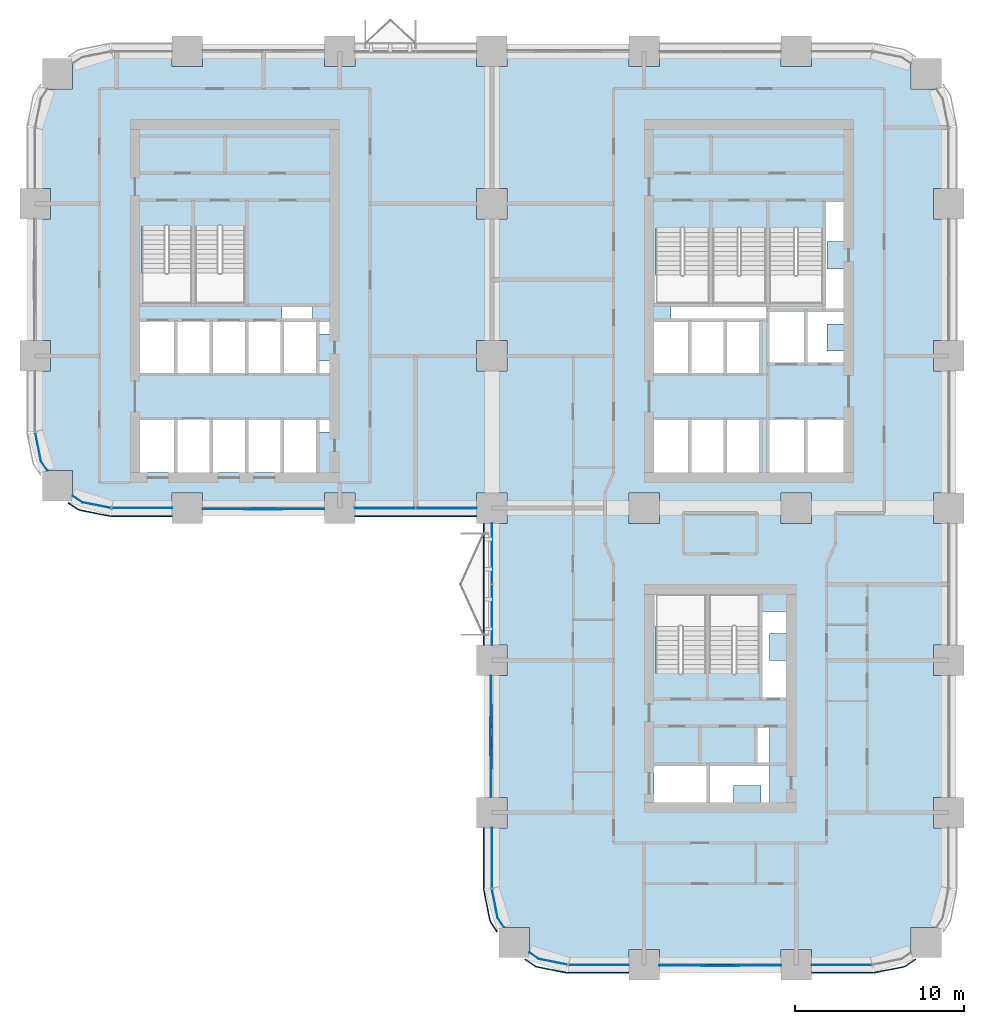
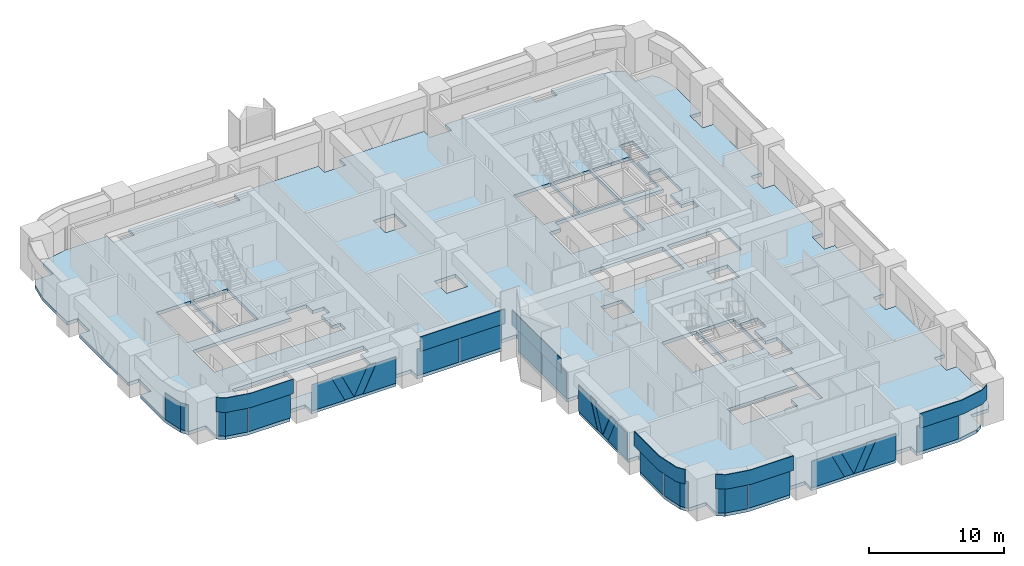
# One storey, part 9 of 18: 30 plates, 1 slab, 10 elements without a shape of their own.
"""IFC4 building model written with IfcOpenShell, lengths in metres."""

import ifcopenshell
import ifcopenshell.guid

model = None  # the IFC model being written
_history = None  # IfcOwnerHistory: only IFC2X3 demands one
_inside = {}  # id of a spatial element -> (the spatial element, [elements in it])
_under = {}  # id of a project, library or spatial element -> (it, [spatial elements below it])
_declared = {}  # id of a project -> (the project, [libraries it declares])
_typed = {}  # id of a type object -> (the type object, [elements of that type])
_made_of = {}  # id of a material, layer set ... -> (it, [elements and type objects made of it])


def new_model(schema):
    """Start an empty IFC model of exactly this schema.

    Asked for "IFC4X3", IfcOpenShell would pick the latest addendum, in which some entities
    have other attributes; the version numbers below select the first issue.
    IFC2X3 requires an IfcOwnerHistory on every rooted entity: one is made here for all.
    """
    global model, _history
    if schema == "IFC4X3":
        model = ifcopenshell.file(schema_version=(4, 3, 0, 0))
    else:
        model = ifcopenshell.file(schema=schema)
    _inside.clear()
    _under.clear()
    _declared.clear()
    _typed.clear()
    _made_of.clear()
    _history = None
    if model.schema == "IFC2X3":
        org = make("IfcOrganization", Name="unknown")
        user = make(
            "IfcPersonAndOrganization",
            ThePerson=make("IfcPerson", FamilyName="unknown"),
            TheOrganization=org,
        )
        app = make(
            "IfcApplication",
            ApplicationDeveloper=org,
            Version="unknown",
            ApplicationFullName="unknown",
            ApplicationIdentifier="unknown",
        )
        _history = make(
            "IfcOwnerHistory",
            OwningUser=user,
            OwningApplication=app,
            ChangeAction="ADDED",
            CreationDate=0,
        )
    return model


def make(cls, **values):
    """One entity of the class cls with the attributes given. An attribute that is None is left unset."""
    return model.create_entity(
        cls, **{name: value for name, value in values.items() if value is not None}
    )


def rooted(cls, **values):
    """An entity with a GlobalId (a new one), such as an element, a storey or a relation."""
    return make(cls, GlobalId=ifcopenshell.guid.new(), OwnerHistory=_history, **values)


def si_unit(unit_type, name, prefix=None):
    """IfcSIUnit, for example si_unit("LENGTHUNIT", "METRE", prefix="MILLI")."""
    return make("IfcSIUnit", UnitType=unit_type, Prefix=prefix, Name=name)


def assignment(units):
    """IfcUnitAssignment: the units of a project."""
    return None if units is None else make("IfcUnitAssignment", Units=units)


def point(xyz):
    """IfcCartesianPoint."""
    return None if xyz is None else make("IfcCartesianPoint", Coordinates=xyz)


def direction(xyz):
    """IfcDirection."""
    return None if xyz is None else make("IfcDirection", DirectionRatios=xyz)


def frame(location, z_axis=None, x_axis=None):
    """IfcAxis2Placement3D, a coordinate frame: its origin and axes. An axis left out is left unset."""
    return make(
        "IfcAxis2Placement3D",
        Location=point(location),
        Axis=direction(z_axis),
        RefDirection=direction(x_axis),
    )


def frame_2d(location, x_axis=None):
    """IfcAxis2Placement2D, a coordinate frame in the plane: its origin and x axis."""
    return make(
        "IfcAxis2Placement2D", Location=point(location), RefDirection=direction(x_axis)
    )


def origin():
    """The frame at (0, 0, 0) with its axes left unset."""
    return frame((0.0, 0.0, 0.0))


def origin_2d():
    """The frame at (0, 0) in the plane with its x axis left unset."""
    return frame_2d((0.0, 0.0))


def place(relative_to, where):
    """IfcLocalPlacement: puts the frame where relative to a parent placement (None: the world)."""
    return make(
        "IfcLocalPlacement", PlacementRelTo=relative_to, RelativePlacement=where
    )


def context(
    kind, dimensions, precision=None, world=None, true_north=None, identifier=None
):
    """IfcGeometricRepresentationContext, for example the 3D "Model" context."""
    return make(
        "IfcGeometricRepresentationContext",
        ContextIdentifier=identifier,
        ContextType=kind,
        CoordinateSpaceDimension=dimensions,
        Precision=precision,
        WorldCoordinateSystem=world,
        TrueNorth=true_north,
    )


def subcontext(parent, identifier, kind, view, scale=None):
    """IfcGeometricRepresentationSubContext, for example "Body" below "Model"."""
    return make(
        "IfcGeometricRepresentationSubContext",
        ContextIdentifier=identifier,
        ContextType=kind,
        ParentContext=parent,
        TargetScale=scale,
        TargetView=view,
    )


def project(units=None, contexts=None):
    """IfcProject with its units and contexts."""
    return rooted(
        "IfcProject",
        Name="project",
        RepresentationContexts=contexts,
        UnitsInContext=assignment(units),
    )


def spatial(cls, under=None, at=None, **own):
    """A site, building, storey or space (cls), placed at a placement, below another one or the project."""
    s = rooted(cls, ObjectPlacement=at, **own)
    if under is not None:
        _under.setdefault(under.id(), (under, []))[1].append(s)
    return s


def polyline(points):
    """IfcPolyline through the points."""
    return make("IfcPolyline", Points=[point(p) for p in points])


def profile(cls, at=None, kind="AREA", **sizes):
    """A parametric profile (cls). Its sizes go by their IFC names, for example OverallWidth=200.0."""
    return make(cls, ProfileType=kind, Position=at, **sizes)


def rectangle(**sizes):
    """IfcRectangleProfileDef."""
    return profile("IfcRectangleProfileDef", **sizes)


def outline(outer, holes=None, kind="AREA"):
    """IfcArbitraryClosedProfileDef: a profile drawn as a closed curve; with holes, ...WithVoids."""
    if holes is None:
        return make("IfcArbitraryClosedProfileDef", ProfileType=kind, OuterCurve=outer)
    return make(
        "IfcArbitraryProfileDefWithVoids",
        ProfileType=kind,
        OuterCurve=outer,
        InnerCurves=holes,
    )


def extrude(swept, where, along, depth):
    """IfcExtrudedAreaSolid: the profile swept, set in the frame where, extruded along a direction by depth."""
    return make(
        "IfcExtrudedAreaSolid",
        SweptArea=swept,
        Position=where,
        ExtrudedDirection=direction(along),
        Depth=depth,
    )


def shape(context_of_items, identifier, shape_type, items):
    """IfcShapeRepresentation: the items that make up one representation, for example the "Body"."""
    return make(
        "IfcShapeRepresentation",
        ContextOfItems=context_of_items,
        RepresentationIdentifier=identifier,
        RepresentationType=shape_type,
        Items=items,
    )


def material(Name=None, Category=None):
    """IfcMaterial."""
    return make("IfcMaterial", Name=Name, Category=Category)


def layer(
    of_material, thickness, ventilated=None, Name=None, Category=None, Priority=None
):
    """IfcMaterialLayer: one layer of a wall or slab, of a material (None: an air gap)."""
    return make(
        "IfcMaterialLayer",
        Material=of_material,
        LayerThickness=thickness,
        IsVentilated=ventilated,
        Name=Name,
        Category=Category,
        Priority=Priority,
    )


def layer_set(layers, Name=None):
    """IfcMaterialLayerSet."""
    return make("IfcMaterialLayerSet", MaterialLayers=layers, LayerSetName=Name)


def made_of(thing, what):
    """Note that an element or type object is made of a material, layer set ...; save() writes the relation."""
    if what is not None:
        _made_of.setdefault(what.id(), (what, []))[1].append(thing)
    return thing


def type_object(cls, material=None, **own):
    """A type object (cls), such as IfcWallType, which elements share."""
    return made_of(rooted(cls, **own), material)


def element(
    cls,
    number,
    at=None,
    inside=None,
    cuts=None,
    type_object=None,
    material=None,
    context=None,
    identifier="Body",
    shape_type=None,
    held_by="IfcProductDefinitionShape",
    body=None,
    shapes=None,
    **own,
):
    """One element of the class cls, such as IfcWall. Its Tag is "e" and its number.

    at: its placement. inside: the storey or other place that contains it. cuts: it is an
    opening in that element (IfcRelVoidsElement). A single representation is given by context,
    identifier, shape_type and body (its items); several are given by shapes. held_by: the class
    of the entity that holds the representations. save() writes the other relations.
    """
    e = rooted(cls, Tag="e%d" % number, ObjectPlacement=at, **own)
    if body is not None:
        shapes = [shape(context, identifier, shape_type, body)]
    if shapes is not None:
        e.Representation = make(held_by, Representations=shapes)
    if inside is not None:
        _inside.setdefault(inside.id(), (inside, []))[1].append(e)
    if cuts is not None:
        rooted(
            "IfcRelVoidsElement", RelatingBuildingElement=cuts, RelatedOpeningElement=e
        )
    if type_object is not None:
        _typed.setdefault(type_object.id(), (type_object, []))[1].append(e)
    return made_of(e, material)


def aggregate(whole, parts):
    """IfcRelAggregates: a whole, such as a stair, and the parts it consists of."""
    return rooted("IfcRelAggregates", RelatingObject=whole, RelatedObjects=parts)


def save(model, path):
    """Write the relations noted so far, then the file.

    IfcRelAggregates (storeys below a building ...), IfcRelContainedInSpatialStructure (elements
    in a storey), IfcRelDefinesByType, IfcRelAssociatesMaterial and IfcRelDeclares: one each for
    every whole, place, type object, material and project.
    """
    for whole, parts in _under.values():
        aggregate(whole, parts)
    for where, things in _inside.values():
        rooted(
            "IfcRelContainedInSpatialStructure",
            RelatedElements=things,
            RelatingStructure=where,
        )
    for kind, things in _typed.values():
        rooted("IfcRelDefinesByType", RelatedObjects=things, RelatingType=kind)
    for what, things in _made_of.values():
        rooted("IfcRelAssociatesMaterial", RelatedObjects=things, RelatingMaterial=what)
    for by, libraries in _declared.values():
        rooted("IfcRelDeclares", RelatingContext=by, RelatedDefinitions=libraries)
    model.write(path)


model = new_model("IFC4")

# Units and contexts
model_context = context("Model", 3, precision=1e-05, world=origin(), true_north=direction((0.0, 1.0)))
body_context = subcontext(model_context, "Body", "Model", "MODEL_VIEW")
ifc_project = project(units=[si_unit("LENGTHUNIT", "METRE"), si_unit("AREAUNIT", "SQUARE_METRE"), si_unit("VOLUMEUNIT", "CUBIC_METRE"), si_unit("PLANEANGLEUNIT", "RADIAN"), si_unit("MASSUNIT", "GRAM", prefix="KILO")], contexts=[model_context])

# Site, building, storey
site_placement = place(None, origin())
site = spatial("IfcSite", under=ifc_project, at=site_placement, CompositionType="ELEMENT")
building_placement = place(site_placement, origin())
building = spatial("IfcBuilding", under=site, at=building_placement, Name="Tessera Arch", CompositionType="ELEMENT")
storey_placement = place(building_placement, frame((0.0, 0.0, 100.60009765625)))
storey = spatial("IfcBuildingStorey", under=building, at=storey_placement, Name="L23", CompositionType="ELEMENT", Elevation=100.60009765625)

# Curtain wall, plates
ifc_material_1 = material(Name="CW1 curtain wall")
curtain_wall_type_1 = type_object("IfcCurtainWallType", Name="CW1 curtain wall", PredefinedType="NOTDEFINED", material=ifc_material_1)
curtain_wall_1_placement = place(storey_placement, origin())
curtain_wall_1 = element("IfcCurtainWall", 1, at=curtain_wall_1_placement, inside=storey, type_object=curtain_wall_type_1, Name="CW1 curtain wall S27.0/2 L23", PredefinedType="NOTDEFINED")
ifc_material_2 = material(Name="Clear low-e glass", Category="glass")
ifc_material_3 = material(Name="Clear low-e glass", Category="glass")
ifc_layer_1 = layer(ifc_material_3, 0.028076171875)
ifc_layer_set_1 = layer_set([ifc_layer_1], Name="CW1 glass panel")
plate_type_1 = type_object("IfcPlateType", Name="CW1 glass panel", PredefinedType="CURTAIN_PANEL", material=ifc_layer_set_1)
plate_1_placement = place(storey_placement, frame((20.68505859375, 27.0, 0.0), z_axis=(0.0, 0.0, 1.0), x_axis=(1.0, 0.0, 0.0)))
plate_1 = element("IfcPlate", 2, at=plate_1_placement, type_object=plate_type_1, material=ifc_material_2, Name="CW1 glass panel S27.0/2 1.1.1", PredefinedType="CURTAIN_PANEL", context=body_context, shape_type="SweptSolid", body=[
    extrude(rectangle(XDim=3.570068359375, YDim=0.028076171875, at=origin_2d()), origin(), (0.0, 0.0, 1.0), 2.39990234375),
])
plate_2_placement = place(storey_placement, frame((24.31494140625, 27.0, 0.0), z_axis=(0.0, 0.0, 1.0), x_axis=(1.0, 0.0, 0.0)))
plate_2 = element("IfcPlate", 3, at=plate_2_placement, type_object=plate_type_1, material=ifc_material_2, Name="CW1 glass panel S27.0/2 1.2.1", PredefinedType="CURTAIN_PANEL", context=body_context, shape_type="SweptSolid", body=[
    extrude(rectangle(XDim=3.570068359375, YDim=0.028076171875, at=origin_2d()), origin(), (0.0, 0.0, 1.0), 2.39990234375),
])

curtain_wall_2_placement = place(storey_placement, origin())
curtain_wall_2 = element("IfcCurtainWall", 4, at=curtain_wall_2_placement, inside=storey, type_object=curtain_wall_type_1, Name="CW1 curtain wall W27.0/0 L23", PredefinedType="NOTDEFINED")
plate_3_placement = place(storey_placement, frame((27.0, 24.31494140625, 0.0), z_axis=(0.0, 0.0, 1.0), x_axis=(0.0, -1.0, 0.0)))
plate_3 = element("IfcPlate", 5, at=plate_3_placement, type_object=plate_type_1, material=ifc_material_2, Name="CW1 glass panel W27.0/0 1.1.1", PredefinedType="CURTAIN_PANEL", context=body_context, shape_type="SweptSolid", body=[
    extrude(rectangle(XDim=3.570068359375, YDim=0.028076171875, at=origin_2d()), origin(), (0.0, 0.0, 1.0), 2.39990234375),
])
plate_4_placement = place(storey_placement, frame((27.0, 20.68505859375, 0.0), z_axis=(0.0, 0.0, 1.0), x_axis=(0.0, -1.0, 0.0)))
plate_4 = element("IfcPlate", 6, at=plate_4_placement, type_object=plate_type_1, material=ifc_material_2, Name="CW1 glass panel W27.0/0 1.2.1", PredefinedType="CURTAIN_PANEL", context=body_context, shape_type="SweptSolid", body=[
    extrude(rectangle(XDim=3.570068359375, YDim=0.028076171875, at=origin_2d()), origin(), (0.0, 0.0, 1.0), 2.39990234375),
])

# Plate
ifc_material_4 = material(Name="Pale anodised aluminium panel", Category="aluminium")
ifc_layer_2 = layer(ifc_material_4, 0.06005859375)
ifc_layer_set_2 = layer_set([ifc_layer_2], Name="CW1 spandrel panel")
plate_type_2 = type_object("IfcPlateType", Name="CW1 spandrel panel", PredefinedType="CURTAIN_PANEL", material=ifc_layer_set_2)
plate_5_placement = place(storey_placement, frame((22.5, 26.52001953125, 2.5), z_axis=(0.0, 0.0, 1.0), x_axis=(1.0, 0.0, 0.0)))
plate_5 = element("IfcPlate", 7, at=plate_5_placement, type_object=plate_type_2, Name="CW1 spandrel panel S27.0/2", PredefinedType="CURTAIN_PANEL", context=body_context, shape_type="SweptSolid", body=[
    extrude(rectangle(XDim=7.199951171875, YDim=0.06005859375, at=origin_2d()), origin(), (0.0, 0.0, 1.0), 1.300048828125),
])

aggregate(curtain_wall_1, [plate_1, plate_2, plate_5])

plate_6_placement = place(storey_placement, frame((26.52001953125, 22.5, 2.5), z_axis=(0.0, 0.0, 1.0), x_axis=(0.0, -1.0, 0.0)))
plate_6 = element("IfcPlate", 8, at=plate_6_placement, type_object=plate_type_2, Name="CW1 spandrel panel W27.0/0", PredefinedType="CURTAIN_PANEL", context=body_context, shape_type="SweptSolid", body=[
    extrude(rectangle(XDim=7.199951171875, YDim=0.06005859375, at=origin_2d()), origin(), (0.0, 0.0, 1.0), 1.300048828125),
])

aggregate(curtain_wall_2, [plate_3, plate_4, plate_6])

# Curtain wall, plate
ifc_material_5 = material(Name="CW2 curtain wall")
curtain_wall_type_2 = type_object("IfcCurtainWallType", Name="CW2 curtain wall", PredefinedType="NOTDEFINED", material=ifc_material_5)
curtain_wall_3_placement = place(storey_placement, origin())
curtain_wall_3 = element("IfcCurtainWall", 9, at=curtain_wall_3_placement, inside=storey, type_object=curtain_wall_type_2, Name="CW2 curtain wall W0.27/2 L23", PredefinedType="NOTDEFINED")
ifc_material_6 = material(Name="Clear low-e glass", Category="glass")
ifc_layer_3 = layer(ifc_material_6, 0.028076171875)
ifc_layer_set_3 = layer_set([ifc_layer_3], Name="CW2 glass panel")
plate_type_3 = type_object("IfcPlateType", Name="CW2 glass panel", PredefinedType="CURTAIN_PANEL", material=ifc_layer_set_3)
plate_7_placement = place(storey_placement, origin())
plate_7 = element("IfcPlate", 10, at=plate_7_placement, type_object=plate_type_3, material=ifc_material_2, Name="CW2 curved glass panel W0.27/2 2.1", PredefinedType="CURTAIN_PANEL", context=body_context, shape_type="SweptSolid", body=[
    extrude(outline(polyline([(0.355712890625, 29.783447265625), (0.021484375, 31.46337890625), (-0.005859375, 31.4580078125), (0.329345703125, 29.7724609375), (0.705078125, 29.210205078125), (0.728271484375, 29.225830078125), (0.355712890625, 29.783447265625)])), origin(), (0.0, 0.0, 1.0), 2.39990234375),
])
aggregate(curtain_wall_3, [plate_7])

# Curtain wall, plates
curtain_wall_4_placement = place(storey_placement, origin())
curtain_wall_4 = element("IfcCurtainWall", 11, at=curtain_wall_4_placement, inside=storey, type_object=curtain_wall_type_2, Name="CW2 curtain wall S27.0/0 L23", PredefinedType="NOTDEFINED")
plate_8_placement = place(storey_placement, frame((6.320068359375, 27.0, 0.0), z_axis=(0.0, 0.0, 1.0), x_axis=(1.0, 0.0, 0.0)))
plate_8 = element("IfcPlate", 12, at=plate_8_placement, type_object=plate_type_3, material=ifc_material_2, Name="CW2 glass panel S27.0/0 1.1", PredefinedType="CURTAIN_PANEL", context=body_context, shape_type="SweptSolid", body=[
    extrude(rectangle(XDim=3.56005859375, YDim=0.028076171875, at=origin_2d()), origin(), (0.0, 0.0, 1.0), 2.39990234375),
])
plate_9_placement = place(storey_placement, origin())
plate_9 = element("IfcPlate", 13, at=plate_9_placement, type_object=plate_type_3, material=ifc_material_2, Name="CW2 curved glass panel S27.0/0 2.1", PredefinedType="CURTAIN_PANEL", context=body_context, shape_type="SweptSolid", body=[
    extrude(outline(polyline([(2.783447265625, 27.355712890625), (2.225830078125, 27.728271484375), (2.210205078125, 27.705078125), (2.7724609375, 27.329345703125), (4.4580078125, 26.994140625), (4.46337890625, 27.021484375), (2.783447265625, 27.355712890625)])), origin(), (0.0, 0.0, 1.0), 2.39990234375),
])

curtain_wall_5_placement = place(storey_placement, origin())
curtain_wall_5 = element("IfcCurtainWall", 14, at=curtain_wall_5_placement, inside=storey, type_object=curtain_wall_type_2, Name="CW2 curtain wall W27.0/2 L23", PredefinedType="NOTDEFINED")
plate_10_placement = place(storey_placement, frame((27.0, 6.320068359375, 0.0), z_axis=(0.0, 0.0, 1.0), x_axis=(0.0, -1.0, 0.0)))
plate_10 = element("IfcPlate", 15, at=plate_10_placement, type_object=plate_type_3, material=ifc_material_2, Name="CW2 glass panel W27.0/2 1.1", PredefinedType="CURTAIN_PANEL", context=body_context, shape_type="SweptSolid", body=[
    extrude(rectangle(XDim=3.56005859375, YDim=0.028076171875, at=origin_2d()), origin(), (0.0, 0.0, 1.0), 2.39990234375),
])
plate_11_placement = place(storey_placement, origin())
plate_11 = element("IfcPlate", 16, at=plate_11_placement, type_object=plate_type_3, material=ifc_material_2, Name="CW2 curved glass panel W27.0/2 2.1", PredefinedType="CURTAIN_PANEL", context=body_context, shape_type="SweptSolid", body=[
    extrude(outline(polyline([(27.355712890625, 2.783447265625), (27.021484375, 4.46337890625), (26.994140625, 4.4580078125), (27.329345703125, 2.7724609375), (27.705078125, 2.210205078125), (27.728271484375, 2.225830078125), (27.355712890625, 2.783447265625)])), origin(), (0.0, 0.0, 1.0), 2.39990234375),
])

curtain_wall_6_placement = place(storey_placement, origin())
curtain_wall_6 = element("IfcCurtainWall", 17, at=curtain_wall_6_placement, inside=storey, type_object=curtain_wall_type_2, Name="CW2 curtain wall S0.27/0 L23", PredefinedType="NOTDEFINED")
plate_12_placement = place(storey_placement, frame((33.320068359375, 0.0, 0.0), z_axis=(0.0, 0.0, 1.0), x_axis=(1.0, 0.0, 0.0)))
plate_12 = element("IfcPlate", 18, at=plate_12_placement, type_object=plate_type_3, material=ifc_material_2, Name="CW2 glass panel S0.27/0 1.1", PredefinedType="CURTAIN_PANEL", context=body_context, shape_type="SweptSolid", body=[
    extrude(rectangle(XDim=3.56005859375, YDim=0.028076171875, at=origin_2d()), origin(), (0.0, 0.0, 1.0), 2.39990234375),
])
plate_13_placement = place(storey_placement, origin())
plate_13 = element("IfcPlate", 19, at=plate_13_placement, type_object=plate_type_3, material=ifc_material_2, Name="CW2 curved glass panel S0.27/0 2.1", PredefinedType="CURTAIN_PANEL", context=body_context, shape_type="SweptSolid", body=[
    extrude(outline(polyline([(29.783447265625, 0.355712890625), (29.225830078125, 0.728271484375), (29.210205078125, 0.705078125), (29.7724609375, 0.329345703125), (31.4580078125, -0.005859375), (31.46337890625, 0.021484375), (29.783447265625, 0.355712890625)])), origin(), (0.0, 0.0, 1.0), 2.39990234375),
])

# Curtain wall, plate
curtain_wall_7_placement = place(storey_placement, origin())
curtain_wall_7 = element("IfcCurtainWall", 20, at=curtain_wall_7_placement, inside=storey, type_object=curtain_wall_type_2, Name="CW2 curtain wall S0.27/2 L23", PredefinedType="NOTDEFINED")
plate_14_placement = place(storey_placement, frame((47.679931640625, 0.0, 0.0), z_axis=(0.0, 0.0, 1.0), x_axis=(1.0, 0.0, 0.0)))
plate_14 = element("IfcPlate", 21, at=plate_14_placement, type_object=plate_type_3, material=ifc_material_2, Name="CW2 glass panel S0.27/2 1.1", PredefinedType="CURTAIN_PANEL", context=body_context, shape_type="SweptSolid", body=[
    extrude(rectangle(XDim=3.56005859375, YDim=0.028076171875, at=origin_2d()), origin(), (0.0, 0.0, 1.0), 2.39990234375),
])

# Plate
ifc_material_7 = material(Name="Pale anodised aluminium panel", Category="aluminium")
ifc_layer_4 = layer(ifc_material_7, 0.06005859375)
ifc_layer_set_4 = layer_set([ifc_layer_4], Name="CW2 spandrel panel")
plate_type_4 = type_object("IfcPlateType", Name="CW2 spandrel panel", PredefinedType="CURTAIN_PANEL", material=ifc_layer_set_4)
plate_15_placement = place(storey_placement, frame((0.0, 0.0, 2.5)))
plate_15 = element("IfcPlate", 22, at=plate_15_placement, type_object=plate_type_4, Name="CW2 spandrel panel S27.0/0", PredefinedType="CURTAIN_PANEL", context=body_context, shape_type="SweptSolid", body=[
    extrude(outline(polyline([(2.52734375, 26.96875), (1.968017578125, 27.342529296875), (1.9345703125, 27.292724609375), (2.4951171875, 26.91796875), (2.537353515625, 26.892822265625), (2.582763671875, 26.871337890625), (2.6298828125, 26.8544921875), (2.677734375, 26.842529296875), (4.401123046875, 26.499755859375), (4.449951171875, 26.492431640625), (4.499267578125, 26.489990234375), (8.10009765625, 26.489990234375), (8.10009765625, 26.550048828125), (4.500732421875, 26.550048828125), (4.455810546875, 26.55224609375), (4.411376953125, 26.558837890625), (2.69091796875, 26.90087890625), (2.647216796875, 26.911865234375), (2.605712890625, 26.9267578125), (2.565673828125, 26.94580078125), (2.52734375, 26.96875)])), origin(), (0.0, 0.0, 1.0), 1.2998046875),
])

aggregate(curtain_wall_4, [plate_8, plate_9, plate_15])

plate_16_placement = place(storey_placement, frame((0.0, 0.0, 2.5)))
plate_16 = element("IfcPlate", 23, at=plate_16_placement, type_object=plate_type_4, Name="CW2 spandrel panel W27.0/2", PredefinedType="CURTAIN_PANEL", context=body_context, shape_type="SweptSolid", body=[
    extrude(outline(polyline([(26.550048828125, 4.500732421875), (26.550048828125, 8.10009765625), (26.489990234375, 8.10009765625), (26.489990234375, 4.499267578125), (26.492431640625, 4.449951171875), (26.499755859375, 4.401123046875), (26.842529296875, 2.677734375), (26.8544921875, 2.6298828125), (26.871337890625, 2.582763671875), (26.892822265625, 2.537353515625), (26.91796875, 2.4951171875), (27.292724609375, 1.9345703125), (27.342529296875, 1.968017578125), (26.96875, 2.52734375), (26.94580078125, 2.565673828125), (26.9267578125, 2.605712890625), (26.911865234375, 2.647216796875), (26.90087890625, 2.69091796875), (26.558837890625, 4.411376953125), (26.55224609375, 4.455810546875), (26.550048828125, 4.500732421875)])), origin(), (0.0, 0.0, 1.0), 1.2998046875),
])

aggregate(curtain_wall_5, [plate_10, plate_11, plate_16])

plate_17_placement = place(storey_placement, frame((0.0, 0.0, 2.5)))
plate_17 = element("IfcPlate", 24, at=plate_17_placement, type_object=plate_type_4, Name="CW2 spandrel panel S0.27/0", PredefinedType="CURTAIN_PANEL", context=body_context, shape_type="SweptSolid", body=[
    extrude(outline(polyline([(29.52734375, -0.03125), (28.968017578125, 0.342529296875), (28.9345703125, 0.292724609375), (29.4951171875, -0.08203125), (29.537353515625, -0.107177734375), (29.582763671875, -0.128662109375), (29.6298828125, -0.1455078125), (29.677734375, -0.157470703125), (31.401123046875, -0.500244140625), (31.449951171875, -0.507568359375), (31.499267578125, -0.510009765625), (35.10009765625, -0.510009765625), (35.10009765625, -0.449951171875), (31.500732421875, -0.449951171875), (31.455810546875, -0.44775390625), (31.411376953125, -0.441162109375), (29.69091796875, -0.09912109375), (29.647216796875, -0.088134765625), (29.605712890625, -0.0732421875), (29.565673828125, -0.05419921875), (29.52734375, -0.03125)])), origin(), (0.0, 0.0, 1.0), 1.2998046875),
])

aggregate(curtain_wall_6, [plate_12, plate_13, plate_17])

plate_18_placement = place(storey_placement, frame((0.0, 0.0, 2.5)))
plate_18 = element("IfcPlate", 25, at=plate_18_placement, type_object=plate_type_4, Name="CW2 spandrel panel S0.27/2", PredefinedType="CURTAIN_PANEL", context=body_context, shape_type="SweptSolid", body=[
    extrude(outline(polyline([(49.499267578125, -0.449951171875), (45.89990234375, -0.449951171875), (45.89990234375, -0.510009765625), (49.500732421875, -0.510009765625), (49.550048828125, -0.507568359375), (49.598876953125, -0.500244140625), (51.322265625, -0.157470703125), (51.3701171875, -0.1455078125), (51.417236328125, -0.128662109375), (51.462646484375, -0.107177734375), (51.5048828125, -0.08203125), (52.0654296875, 0.292724609375), (52.031982421875, 0.342529296875), (51.47265625, -0.03125), (51.434326171875, -0.05419921875), (51.394287109375, -0.0732421875), (51.352783203125, -0.088134765625), (51.30908203125, -0.09912109375), (49.588623046875, -0.441162109375), (49.544189453125, -0.44775390625), (49.499267578125, -0.449951171875)])), origin(), (0.0, 0.0, 1.0), 1.2998046875),
])

aggregate(curtain_wall_7, [plate_14, plate_18])

# Curtain wall, plate
ifc_material_8 = material(Name="CW3 curtain wall")
curtain_wall_type_3 = type_object("IfcCurtainWallType", Name="CW3 curtain wall", PredefinedType="NOTDEFINED", material=ifc_material_8)
curtain_wall_8_placement = place(storey_placement, origin())
curtain_wall_8 = element("IfcCurtainWall", 26, at=curtain_wall_8_placement, inside=storey, type_object=curtain_wall_type_3, Name="CW3 curtain wall S27.0/1 L23", PredefinedType="NOTDEFINED")
ifc_material_9 = material(Name="Pale anodised aluminium panel", Category="aluminium")
ifc_layer_5 = layer(ifc_material_9, 0.06005859375)
ifc_layer_set_5 = layer_set([ifc_layer_5], Name="CW3 diagonal panel")
plate_type_5 = type_object("IfcPlateType", Name="CW3 diagonal panel", PredefinedType="CURTAIN_PANEL", material=ifc_layer_set_5)
plate_19_placement = place(storey_placement, frame((15.414794921875, 26.969970703125, 2.39990234375), z_axis=(0.0, -1.0, 0.0), x_axis=(-1.0, 0.0, 0.0)))
plate_19 = element("IfcPlate", 27, at=plate_19_placement, type_object=plate_type_5, Name="CW3 diagonal panel S27.0/1 1", PredefinedType="CURTAIN_PANEL", context=body_context, shape_type="SweptSolid", body=[
    extrude(outline(polyline([(0.0, 0.0), (0.798095703125, 0.0), (1.914794921875, 2.357421875), (3.031494140625, 0.0), (3.82958984375, 0.0), (2.69287109375, 2.39990234375), (1.13671875, 2.39990234375), (0.0, 0.0)])), origin(), (0.0, 0.0, -1.0), 0.06005859375),
])

curtain_wall_9_placement = place(storey_placement, origin())
curtain_wall_9 = element("IfcCurtainWall", 28, at=curtain_wall_9_placement, inside=storey, type_object=curtain_wall_type_3, Name="CW3 curtain wall W27.0/1 L23", PredefinedType="NOTDEFINED")
plate_20_placement = place(storey_placement, frame((26.969970703125, 11.585205078125, 2.39990234375), z_axis=(-1.0, 0.0, 0.0), x_axis=(0.0, 1.0, 0.0)))
plate_20 = element("IfcPlate", 29, at=plate_20_placement, type_object=plate_type_5, Name="CW3 diagonal panel W27.0/1 1", PredefinedType="CURTAIN_PANEL", context=body_context, shape_type="SweptSolid", body=[
    extrude(outline(polyline([(0.0, 0.0), (0.798095703125, 0.0), (1.914794921875, 2.357421875), (3.031494140625, 0.0), (3.82958984375, 0.0), (2.69287109375, 2.39990234375), (1.13671875, 2.39990234375), (0.0, 0.0)])), origin(), (0.0, 0.0, -1.0), 0.06005859375),
])

curtain_wall_10_placement = place(storey_placement, origin())
curtain_wall_10 = element("IfcCurtainWall", 30, at=curtain_wall_10_placement, inside=storey, type_object=curtain_wall_type_3, Name="CW3 curtain wall S0.27/1 L23", PredefinedType="NOTDEFINED")
plate_21_placement = place(storey_placement, frame((42.414794921875, -0.030029296875, 2.39990234375), z_axis=(0.0, -1.0, 0.0), x_axis=(-1.0, 0.0, 0.0)))
plate_21 = element("IfcPlate", 31, at=plate_21_placement, type_object=plate_type_5, Name="CW3 diagonal panel S0.27/1 1", PredefinedType="CURTAIN_PANEL", context=body_context, shape_type="SweptSolid", body=[
    extrude(outline(polyline([(0.0, 0.0), (0.798095703125, 0.0), (1.914794921875, 2.357421875), (3.031494140625, 0.0), (3.82958984375, 0.0), (2.69287109375, 2.39990234375), (1.13671875, 2.39990234375), (0.0, 0.0)])), origin(), (0.0, 0.0, -1.0), 0.06005859375),
])

# Plate
ifc_material_10 = material(Name="Clear low-e glass", Category="glass")
ifc_layer_6 = layer(ifc_material_10, 0.028076171875)
ifc_layer_set_6 = layer_set([ifc_layer_6], Name="CW3 glass panel")
plate_type_6 = type_object("IfcPlateType", Name="CW3 glass panel", PredefinedType="CURTAIN_PANEL", material=ifc_layer_set_6)
plate_22_placement = place(storey_placement, frame((9.89990234375, 26.94189453125, 0.0), z_axis=(0.0, -1.0, 0.0), x_axis=(1.0, 0.0, 0.0)))
plate_22 = element("IfcPlate", 32, at=plate_22_placement, type_object=plate_type_6, material=ifc_material_2, Name="CW3 triangulated glass panel S27.0/1 1", PredefinedType="CURTAIN_PANEL", context=body_context, shape_type="SweptSolid", body=[
    extrude(outline(polyline([(0.0, 0.0), (2.822021484375, 0.0), (1.685302734375, 2.39990234375), (0.0, 2.39990234375), (0.0, 0.0)])), origin(), (0.0, 0.0, -1.0), 0.028076171875),
])

plate_23_placement = place(storey_placement, frame((14.61669921875, 26.9140625, 2.39990234375), z_axis=(0.0, -1.0, 0.0), x_axis=(-1.0, 0.0, 0.0)))
plate_23 = element("IfcPlate", 33, at=plate_23_placement, type_object=plate_type_6, material=ifc_material_2, Name="CW3 triangulated glass panel S27.0/1 2", PredefinedType="CURTAIN_PANEL", context=body_context, shape_type="SweptSolid", body=[
    extrude(outline(polyline([(0.0, 0.0), (2.2333984375, 0.0), (1.11669921875, 2.357421875), (0.0, 0.0)])), origin(), (0.0, 0.0, -1.0), 0.028076171875),
])

plate_24_placement = place(storey_placement, frame((17.10009765625, 26.94189453125, 2.39990234375), z_axis=(0.0, -1.0, 0.0), x_axis=(-1.0, 0.0, 0.0)))
plate_24 = element("IfcPlate", 34, at=plate_24_placement, type_object=plate_type_6, material=ifc_material_2, Name="CW3 triangulated glass panel S27.0/1 3", PredefinedType="CURTAIN_PANEL", context=body_context, shape_type="SweptSolid", body=[
    extrude(outline(polyline([(0.0, 0.0), (1.685302734375, 0.0), (2.822021484375, 2.39990234375), (0.0, 2.39990234375), (0.0, 0.0)])), origin(), (0.0, 0.0, -1.0), 0.028076171875),
])

aggregate(curtain_wall_8, [plate_22, plate_23, plate_24, plate_19])

plate_25_placement = place(storey_placement, frame((26.94189453125, 17.10009765625, 0.0), z_axis=(-1.0, 0.0, 0.0), x_axis=(0.0, -1.0, 0.0)))
plate_25 = element("IfcPlate", 35, at=plate_25_placement, type_object=plate_type_6, material=ifc_material_2, Name="CW3 triangulated glass panel W27.0/1 1", PredefinedType="CURTAIN_PANEL", context=body_context, shape_type="SweptSolid", body=[
    extrude(outline(polyline([(0.0, 0.0), (2.822021484375, 0.0), (1.685302734375, 2.39990234375), (0.0, 2.39990234375), (0.0, 0.0)])), origin(), (0.0, 0.0, -1.0), 0.028076171875),
])

plate_26_placement = place(storey_placement, frame((26.9140625, 12.38330078125, 2.39990234375), z_axis=(-1.0, 0.0, 0.0), x_axis=(0.0, 1.0, 0.0)))
plate_26 = element("IfcPlate", 36, at=plate_26_placement, type_object=plate_type_6, material=ifc_material_2, Name="CW3 triangulated glass panel W27.0/1 2", PredefinedType="CURTAIN_PANEL", context=body_context, shape_type="SweptSolid", body=[
    extrude(outline(polyline([(0.0, 0.0), (2.2333984375, 0.0), (1.11669921875, 2.357421875), (0.0, 0.0)])), origin(), (0.0, 0.0, -1.0), 0.028076171875),
])

plate_27_placement = place(storey_placement, frame((26.94189453125, 9.89990234375, 2.39990234375), z_axis=(-1.0, 0.0, 0.0), x_axis=(0.0, 1.0, 0.0)))
plate_27 = element("IfcPlate", 37, at=plate_27_placement, type_object=plate_type_6, material=ifc_material_2, Name="CW3 triangulated glass panel W27.0/1 3", PredefinedType="CURTAIN_PANEL", context=body_context, shape_type="SweptSolid", body=[
    extrude(outline(polyline([(0.0, 0.0), (1.685302734375, 0.0), (2.822021484375, 2.39990234375), (0.0, 2.39990234375), (0.0, 0.0)])), origin(), (0.0, 0.0, -1.0), 0.028076171875),
])

aggregate(curtain_wall_9, [plate_25, plate_26, plate_27, plate_20])

plate_28_placement = place(storey_placement, frame((36.89990234375, -0.05810546875, 0.0), z_axis=(0.0, -1.0, 0.0), x_axis=(1.0, 0.0, 0.0)))
plate_28 = element("IfcPlate", 38, at=plate_28_placement, type_object=plate_type_6, material=ifc_material_2, Name="CW3 triangulated glass panel S0.27/1 1", PredefinedType="CURTAIN_PANEL", context=body_context, shape_type="SweptSolid", body=[
    extrude(outline(polyline([(0.0, 0.0), (2.822021484375, 0.0), (1.685302734375, 2.39990234375), (0.0, 2.39990234375), (0.0, 0.0)])), origin(), (0.0, 0.0, -1.0), 0.028076171875),
])

plate_29_placement = place(storey_placement, frame((41.61669921875, -0.0859375, 2.39990234375), z_axis=(0.0, -1.0, 0.0), x_axis=(-1.0, 0.0, 0.0)))
plate_29 = element("IfcPlate", 39, at=plate_29_placement, type_object=plate_type_6, material=ifc_material_2, Name="CW3 triangulated glass panel S0.27/1 2", PredefinedType="CURTAIN_PANEL", context=body_context, shape_type="SweptSolid", body=[
    extrude(outline(polyline([(0.0, 0.0), (2.2333984375, 0.0), (1.11669921875, 2.357421875), (0.0, 0.0)])), origin(), (0.0, 0.0, -1.0), 0.028076171875),
])

plate_30_placement = place(storey_placement, frame((44.10009765625, -0.05810546875, 2.39990234375), z_axis=(0.0, -1.0, 0.0), x_axis=(-1.0, 0.0, 0.0)))
plate_30 = element("IfcPlate", 40, at=plate_30_placement, type_object=plate_type_6, material=ifc_material_2, Name="CW3 triangulated glass panel S0.27/1 3", PredefinedType="CURTAIN_PANEL", context=body_context, shape_type="SweptSolid", body=[
    extrude(outline(polyline([(0.0, 0.0), (1.685302734375, 0.0), (2.822021484375, 2.39990234375), (0.0, 2.39990234375), (0.0, 0.0)])), origin(), (0.0, 0.0, -1.0), 0.028076171875),
])

aggregate(curtain_wall_10, [plate_28, plate_29, plate_30, plate_21])

# Slab
ifc_material_11 = material(Name="Concrete C40/50", Category="concrete")
ifc_layer_7 = layer(ifc_material_11, 0.300048828125)
ifc_layer_set_7 = layer_set([ifc_layer_7], Name="Floor slab 300 Concrete C40/50")
slab_type = type_object("IfcSlabType", Name="Floor slab 300 Concrete C40/50", PredefinedType="FLOOR", material=ifc_layer_set_7)
slab_placement = place(storey_placement, frame((0.0, 0.0, -0.300048828125)))
element("IfcSlab", 41, at=slab_placement, inside=storey, type_object=slab_type, Name="Floor slab L23 1", PredefinedType="FLOOR", context=body_context, shape_type="SweptSolid", body=[
    extrude(outline(polyline([(49.5, 54.0), (51.22216796875, 53.657470703125), (51.781982421875, 53.283447265625), (51.781982421875, 51.781982421875), (53.283447265625, 51.781982421875), (53.657470703125, 51.22216796875), (54.0, 49.5), (54.0, 45.89990234375), (53.10009765625, 45.89990234375), (53.10009765625, 44.10009765625), (54.0, 44.10009765625), (54.0, 36.89990234375), (53.10009765625, 36.89990234375), (53.10009765625, 35.10009765625), (54.0, 35.10009765625), (54.0, 27.89990234375), (53.10009765625, 27.89990234375), (53.10009765625, 26.10009765625), (54.0, 26.10009765625), (54.0, 18.89990234375), (53.10009765625, 18.89990234375), (53.10009765625, 17.10009765625), (54.0, 17.10009765625), (54.0, 9.89990234375), (53.10009765625, 9.89990234375), (53.10009765625, 8.10009765625), (54.0, 8.10009765625), (54.0, 4.5), (53.657470703125, 2.77783203125), (53.283447265625, 2.218017578125), (51.781982421875, 2.218017578125), (51.781982421875, 0.716552734375), (51.22216796875, 0.342529296875), (49.5, 0.0), (45.89990234375, 0.0), (45.89990234375, 0.89990234375), (44.10009765625, 0.89990234375), (44.10009765625, 0.0), (36.89990234375, 0.0), (36.89990234375, 0.89990234375), (35.10009765625, 0.89990234375), (35.10009765625, 0.0), (31.5, 0.0), (29.77783203125, 0.342529296875), (29.218017578125, 0.716552734375), (29.218017578125, 2.218017578125), (27.716552734375, 2.218017578125), (27.342529296875, 2.77783203125), (27.0, 4.5), (27.0, 8.10009765625), (27.89990234375, 8.10009765625), (27.89990234375, 9.89990234375), (27.0, 9.89990234375), (27.0, 17.10009765625), (27.89990234375, 17.10009765625), (27.89990234375, 18.89990234375), (27.0, 18.89990234375), (27.0, 26.10009765625), (27.89990234375, 26.10009765625), (27.89990234375, 27.89990234375), (26.10009765625, 27.89990234375), (26.10009765625, 27.0), (18.89990234375, 27.0), (18.89990234375, 27.89990234375), (17.10009765625, 27.89990234375), (17.10009765625, 27.0), (9.89990234375, 27.0), (9.89990234375, 27.89990234375), (8.10009765625, 27.89990234375), (8.10009765625, 27.0), (4.5, 27.0), (2.77783203125, 27.342529296875), (2.218017578125, 27.716552734375), (2.218017578125, 29.218017578125), (0.716552734375, 29.218017578125), (0.342529296875, 29.77783203125), (0.0, 31.5), (0.0, 35.10009765625), (0.89990234375, 35.10009765625), (0.89990234375, 36.89990234375), (0.0, 36.89990234375), (0.0, 44.10009765625), (0.89990234375, 44.10009765625), (0.89990234375, 45.89990234375), (0.0, 45.89990234375), (0.0, 49.5), (0.342529296875, 51.22216796875), (0.716552734375, 51.781982421875), (2.218017578125, 51.781982421875), (2.218017578125, 53.283447265625), (2.77783203125, 53.657470703125), (4.5, 54.0), (8.10009765625, 54.0), (8.10009765625, 53.10009765625), (9.89990234375, 53.10009765625), (9.89990234375, 54.0), (17.10009765625, 54.0), (17.10009765625, 53.10009765625), (18.89990234375, 53.10009765625), (18.89990234375, 54.0), (26.10009765625, 54.0), (26.10009765625, 53.10009765625), (27.89990234375, 53.10009765625), (27.89990234375, 54.0), (35.10009765625, 54.0), (35.10009765625, 53.10009765625), (36.89990234375, 53.10009765625), (36.89990234375, 54.0), (44.10009765625, 54.0), (44.10009765625, 53.10009765625), (45.89990234375, 53.10009765625), (45.89990234375, 54.0), (49.5, 54.0)]), holes=[polyline([(6.199951171875, 32.300048828125), (6.199951171875, 29.10009765625), (8.300048828125, 29.10009765625), (10.39990234375, 29.10009765625), (12.5, 29.10009765625), (14.60009765625, 29.10009765625), (16.699951171875, 29.10009765625), (16.699951171875, 31.5), (17.39990234375, 31.5), (17.39990234375, 32.300048828125), (16.699951171875, 32.300048828125), (14.60009765625, 32.300048828125), (12.5, 32.300048828125), (10.39990234375, 32.300048828125), (8.300048828125, 32.300048828125), (6.199951171875, 32.300048828125)]), polyline([(14.60009765625, 34.89990234375), (16.699951171875, 34.89990234375), (17.39990234375, 34.89990234375), (17.39990234375, 35.699951171875), (16.699951171875, 35.699951171875), (16.699951171875, 37.300048828125), (17.39990234375, 37.300048828125), (17.39990234375, 38.10009765625), (16.699951171875, 38.10009765625), (16.39990234375, 38.10009765625), (16.39990234375, 39.0), (14.60009765625, 39.0), (14.60009765625, 38.10009765625), (12.5, 38.10009765625), (10.39990234375, 38.10009765625), (8.300048828125, 38.10009765625), (6.199951171875, 38.10009765625), (6.199951171875, 34.89990234375), (8.300048828125, 34.89990234375), (10.39990234375, 34.89990234375), (12.5, 34.89990234375), (14.60009765625, 34.89990234375)]), polyline([(11.0, 43.699951171875), (10.85009765625, 43.699951171875), (10.85009765625, 43.68994140625), (9.449951171875, 43.68994140625), (9.449951171875, 39.199951171875), (12.39990234375, 39.199951171875), (12.39990234375, 43.68994140625), (11.0, 43.68994140625), (11.0, 43.699951171875)]), polyline([(7.85009765625, 43.699951171875), (7.699951171875, 43.699951171875), (7.699951171875, 43.68994140625), (6.300048828125, 43.68994140625), (6.300048828125, 39.199951171875), (9.25, 39.199951171875), (9.25, 43.68994140625), (7.85009765625, 43.68994140625), (7.85009765625, 43.699951171875)]), polyline([(43.39990234375, 9.60009765625), (43.39990234375, 11.89990234375), (43.39990234375, 14.10009765625), (42.60009765625, 14.10009765625), (42.60009765625, 11.89990234375), (39.800048828125, 11.89990234375), (39.800048828125, 11.85009765625), (36.60009765625, 11.85009765625), (36.60009765625, 9.60009765625), (39.800048828125, 9.60009765625), (41.300048828125, 9.60009765625), (41.300048828125, 10.60009765625), (42.89990234375, 10.60009765625), (42.89990234375, 9.60009765625), (43.39990234375, 9.60009765625)]), polyline([(41.25, 17.199951171875), (41.39990234375, 17.199951171875), (41.39990234375, 17.2099609375), (42.800048828125, 17.2099609375), (42.800048828125, 21.699951171875), (39.85009765625, 21.699951171875), (39.85009765625, 17.2099609375), (41.25, 17.2099609375), (41.25, 17.199951171875)]), polyline([(38.10009765625, 17.199951171875), (38.25, 17.199951171875), (38.25, 17.2099609375), (39.64990234375, 17.2099609375), (39.64990234375, 21.699951171875), (36.699951171875, 21.699951171875), (36.699951171875, 17.2099609375), (38.10009765625, 17.2099609375), (38.10009765625, 17.199951171875)]), polyline([(35.10009765625, 26.10009765625), (36.89990234375, 26.10009765625), (36.89990234375, 27.89990234375), (35.10009765625, 27.89990234375), (35.10009765625, 26.10009765625)]), polyline([(38.699951171875, 29.10009765625), (40.800048828125, 29.10009765625), (42.89990234375, 29.10009765625), (42.89990234375, 32.300048828125), (40.800048828125, 32.300048828125), (38.699951171875, 32.300048828125), (36.60009765625, 32.300048828125), (36.60009765625, 29.10009765625), (38.699951171875, 29.10009765625)]), polyline([(26.10009765625, 35.10009765625), (27.89990234375, 35.10009765625), (27.89990234375, 36.89990234375), (26.10009765625, 36.89990234375), (26.10009765625, 35.10009765625)]), polyline([(43.300048828125, 39.0), (37.60009765625, 39.0), (37.60009765625, 38.10009765625), (36.60009765625, 38.10009765625), (36.60009765625, 34.89990234375), (38.699951171875, 34.89990234375), (40.800048828125, 34.89990234375), (42.89990234375, 34.89990234375), (42.89990234375, 38.10009765625), (43.300048828125, 38.10009765625), (43.300048828125, 35.5), (45.550048828125, 35.5), (47.800048828125, 35.5), (47.800048828125, 36.300048828125), (46.800048828125, 36.300048828125), (46.800048828125, 37.89990234375), (47.800048828125, 37.89990234375), (47.800048828125, 38.699951171875), (47.800048828125, 41.14990234375), (46.800048828125, 41.14990234375), (46.800048828125, 42.75), (47.800048828125, 42.75), (47.800048828125, 45.199951171875), (46.64990234375, 45.199951171875), (46.64990234375, 38.699951171875), (45.550048828125, 38.699951171875), (43.300048828125, 38.699951171875), (43.300048828125, 39.0)]), polyline([(38.330078125, 43.580078125), (38.219970703125, 43.580078125), (38.219970703125, 43.570068359375), (36.699951171875, 43.570068359375), (36.699951171875, 39.199951171875), (39.85009765625, 39.199951171875), (39.85009765625, 43.570068359375), (38.330078125, 43.570068359375), (38.330078125, 43.580078125)]), polyline([(26.10009765625, 44.10009765625), (27.89990234375, 44.10009765625), (27.89990234375, 45.89990234375), (26.10009765625, 45.89990234375), (26.10009765625, 44.10009765625)]), polyline([(42.89990234375, 15.699951171875), (44.39990234375, 15.699951171875), (44.39990234375, 18.0), (43.39990234375, 18.0), (43.39990234375, 19.60009765625), (44.39990234375, 19.60009765625), (44.39990234375, 20.89990234375), (42.89990234375, 20.89990234375), (42.89990234375, 15.699951171875)]), polyline([(44.10009765625, 26.10009765625), (45.89990234375, 26.10009765625), (45.89990234375, 27.89990234375), (44.10009765625, 27.89990234375), (44.10009765625, 26.10009765625)]), polyline([(45.550048828125, 29.10009765625), (47.800048828125, 29.10009765625), (47.800048828125, 32.300048828125), (45.550048828125, 32.300048828125), (43.300048828125, 32.300048828125), (43.300048828125, 29.10009765625), (45.550048828125, 29.10009765625)]), polyline([(45.030029296875, 43.580078125), (44.919921875, 43.580078125), (44.919921875, 43.570068359375), (43.39990234375, 43.570068359375), (43.39990234375, 39.199951171875), (46.550048828125, 39.199951171875), (46.550048828125, 43.570068359375), (45.030029296875, 43.570068359375), (45.030029296875, 43.580078125)]), polyline([(41.679931640625, 43.580078125), (41.570068359375, 43.580078125), (41.570068359375, 43.570068359375), (40.050048828125, 43.570068359375), (40.050048828125, 39.199951171875), (43.199951171875, 39.199951171875), (43.199951171875, 43.570068359375), (41.679931640625, 43.570068359375), (41.679931640625, 43.580078125)])]), origin(), (0.0, 0.0, 1.0), 0.300048828125),
])

save(model, "model.ifc")
